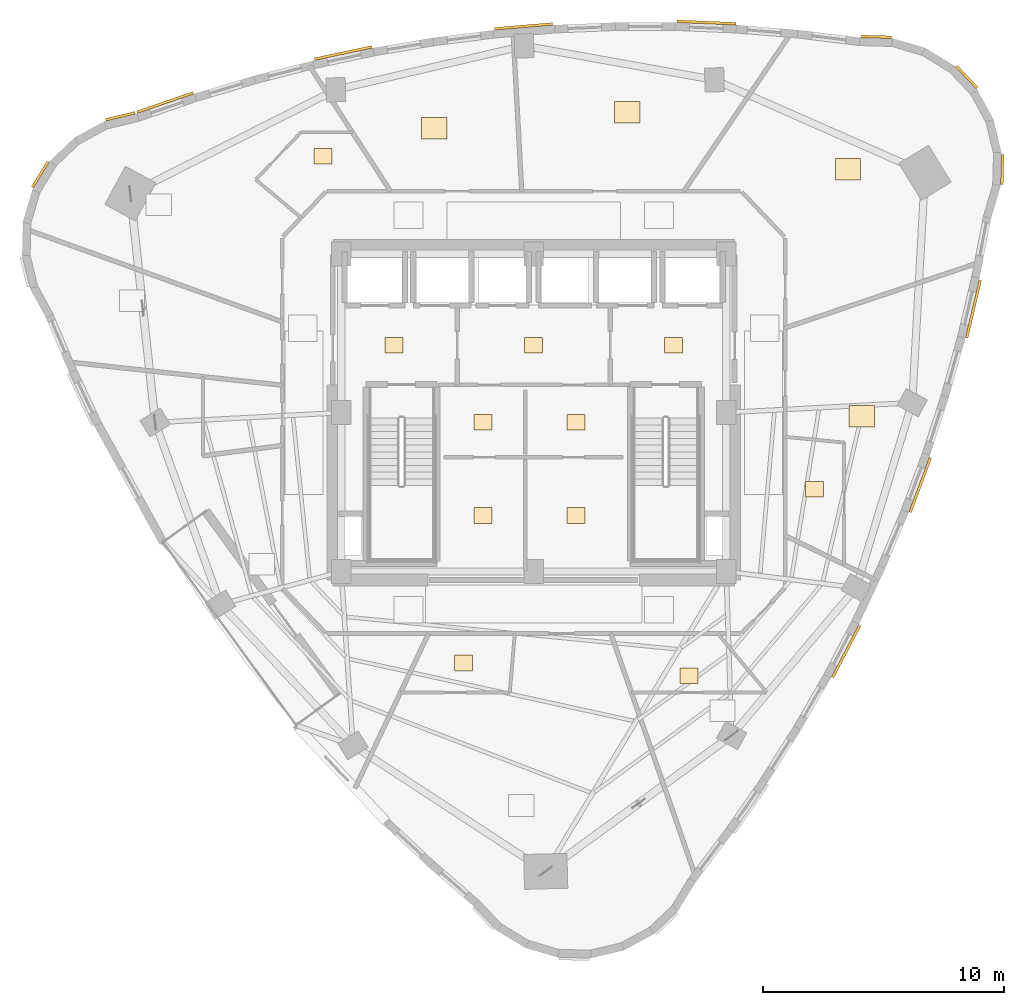
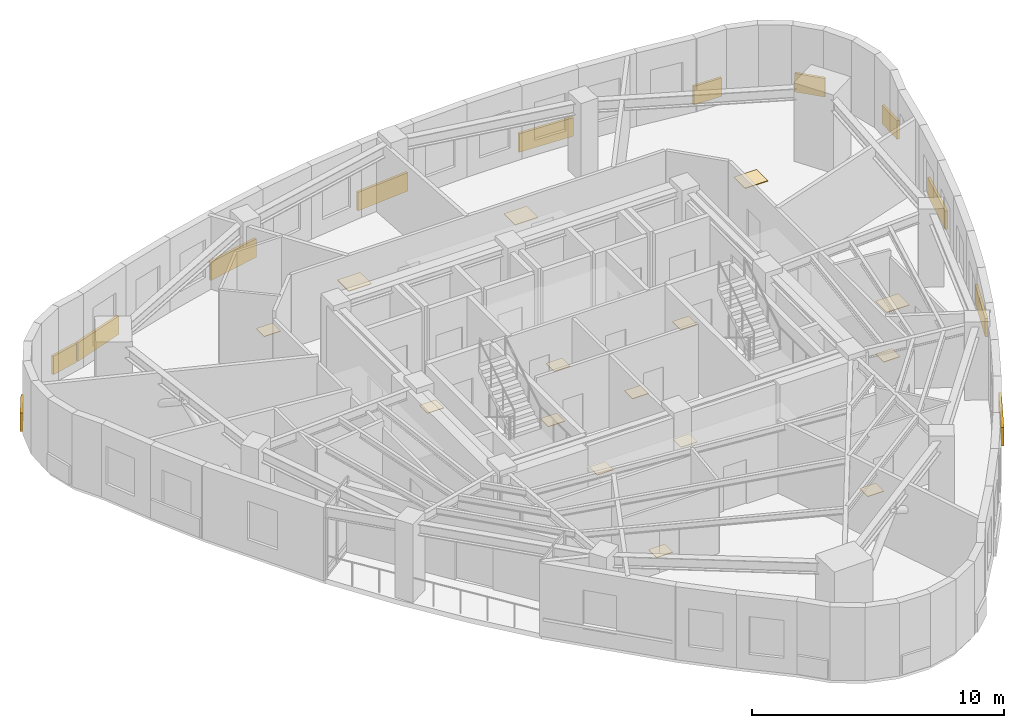
# One storey, part 13 of 13: 27 coverings.
"""IFC4 building model written with IfcOpenShell, lengths in metres."""

from ifc_helpers import new_model, si_unit, direction, frame, origin, origin_2d, place, context, subcontext, project, spatial, rectangle, extrude, material, layer, layer_set, type_object, element, save


model = new_model("IFC4")

# Units and contexts
model_context = context("Model", 3, precision=1e-05, world=origin(), true_north=direction((0.0, 1.0)))
body_context = subcontext(model_context, "Body", "Model", "MODEL_VIEW")
ifc_project = project(units=[si_unit("LENGTHUNIT", "METRE"), si_unit("AREAUNIT", "SQUARE_METRE"), si_unit("VOLUMEUNIT", "CUBIC_METRE"), si_unit("PLANEANGLEUNIT", "RADIAN"), si_unit("MASSUNIT", "GRAM", prefix="KILO")], contexts=[model_context])

# Site, building, storey
site_placement = place(None, origin())
site = spatial("IfcSite", under=ifc_project, at=site_placement, CompositionType="ELEMENT")
building_placement = place(site_placement, origin())
building = spatial("IfcBuilding", under=site, at=building_placement, Name="Ndelora Gate Hotel", CompositionType="ELEMENT")
storey_placement = place(building_placement, frame((0.0, 0.0, 228.35009765625)))
storey = spatial("IfcBuildingStorey", under=building, at=storey_placement, Name="L57", CompositionType="ELEMENT", Elevation=228.35009765625)

# Coverings
ifc_material_1 = material(Name="Terracotta Fired Clay Brick Slip Cladding", Category="masonry")
ifc_layer_1 = layer(ifc_material_1, 0.110107421875)
ifc_layer_set_1 = layer_set([ifc_layer_1], Name="Terracotta Fired Clay Brick Slip Cladding")
covering_type_1 = type_object("IfcCoveringType", Name="COV-CLAD-BRK", PredefinedType="CLADDING", material=ifc_layer_set_1)
for number, where, z_axis, x_axis, name in (
    (1, (-17.176025390625, 12.314208984375, 0.099853515625), (0.0, 0.0, 1.0), (0.972369920398, 0.233445363856, 0.0), "L57 Rounded-Corner Brick Cladding Band 1"),
    (2, (-20.503662109375, 9.896728515625, 0.099853515625), (0.0, 0.0, 1.0), (0.522498564716, 0.852640164354, 0.0), "L57 Rounded-Corner Brick Cladding Band 4"),
):
    element("IfcCovering", number, at=place(storey_placement, frame(where, z_axis=z_axis, x_axis=x_axis)), inside=storey, type_object=covering_type_1, Name=name, PredefinedType="CLADDING", context=body_context, shape_type="SweptSolid", body=[
        extrude(rectangle(XDim=1.257080078125, YDim=0.110107421875, at=origin_2d()), origin(), (0.0, 0.0, 1.0), 0.89990234375),
    ])
covering_1_placement = place(storey_placement, frame((12.9853515625, -9.9267578125, 0.099853515625), z_axis=(0.0, 0.0, 1.0), x_axis=(0.46329603512, 0.886203579231, 0.0)))
element("IfcCovering", 3, at=covering_1_placement, inside=storey, type_object=covering_type_1, Name="L57 Rounded-Corner Brick Cladding Band 31", PredefinedType="CLADDING", context=body_context, shape_type="SweptSolid", body=[
    extrude(rectangle(XDim=2.4208984375, YDim=0.110107421875, at=origin_2d()), origin(), (0.0, 0.0, 1.0), 0.89990234375),
])
covering_2_placement = place(storey_placement, frame((16.06591796875, -3.007568359375, 0.099853515625), z_axis=(0.0, 0.0, 1.0), x_axis=(0.348572047322, 0.937281989492, 0.0)))
element("IfcCovering", 4, at=covering_2_placement, inside=storey, type_object=covering_type_1, Name="L57 Rounded-Corner Brick Cladding Band 34", PredefinedType="CLADDING", context=body_context, shape_type="SweptSolid", body=[
    extrude(rectangle(XDim=2.419921875, YDim=0.110107421875, at=origin_2d()), origin(), (0.0, 0.0, 1.0), 0.89990234375),
])
covering_3_placement = place(storey_placement, frame((18.275390625, 4.298828125, 0.099853515625), z_axis=(0.0, 0.0, 1.0), x_axis=(0.230219585439, 0.973138706701, 0.0)))
element("IfcCovering", 5, at=covering_3_placement, inside=storey, type_object=covering_type_1, Name="L57 Rounded-Corner Brick Cladding Band 37", PredefinedType="CLADDING", context=body_context, shape_type="SweptSolid", body=[
    extrude(rectangle(XDim=2.4599609375, YDim=0.110107421875, at=origin_2d()), origin(), (0.0, 0.0, 1.0), 0.89990234375),
])
for number, where, z_axis, x_axis, name in (
    (6, (19.471923828125, 10.103515625, 0.099853515625), (0.0, 0.0, 1.0), (0.026176948308, 0.999657324976, 0.0), "L57 Rounded-Corner Brick Cladding Band 40"),
    (7, (17.997802734375, 13.943359375, 0.099853515625), (0.0, 0.0, 1.0), (-0.688354575694, 0.725374371012, 0.0), "L57 Rounded-Corner Brick Cladding Band 43"),
    (8, (14.240478515625, 15.6162109375, 0.099853515625), (0.0, 0.0, 1.0), (-0.999657324976, 0.026176948308, 0.0), "L57 Rounded-Corner Brick Cladding Band 46"),
):
    element("IfcCovering", number, at=place(storey_placement, frame(where, z_axis=z_axis, x_axis=x_axis)), inside=storey, type_object=covering_type_1, Name=name, PredefinedType="CLADDING", context=body_context, shape_type="SweptSolid", body=[
        extrude(rectangle(XDim=1.257080078125, YDim=0.110107421875, at=origin_2d()), origin(), (0.0, 0.0, 1.0), 0.89990234375),
    ])
covering_4_placement = place(storey_placement, frame((7.18115234375, 16.2099609375, 0.099853515625), z_axis=(0.0, 0.0, 1.0), x_axis=(-0.999151821338, 0.04117812426, 0.0)))
element("IfcCovering", 9, at=covering_4_placement, inside=storey, type_object=covering_type_1, Name="L57 Rounded-Corner Brick Cladding Band 49", PredefinedType="CLADDING", context=body_context, shape_type="SweptSolid", body=[
    extrude(rectangle(XDim=2.443115234375, YDim=0.110107421875, at=origin_2d()), origin(), (0.0, 0.0, 1.0), 0.89990234375),
])
covering_5_placement = place(storey_placement, frame((-0.417724609375, 16.050537109375, 0.099853515625), z_axis=(0.0, 0.0, 1.0), x_axis=(0.99649285925, 0.083677843332, 0.0)))
element("IfcCovering", 10, at=covering_5_placement, inside=storey, type_object=covering_type_1, Name="L57 Rounded-Corner Brick Cladding Band 52", PredefinedType="CLADDING", context=body_context, shape_type="SweptSolid", body=[
    extrude(rectangle(XDim=2.416015625, YDim=0.110107421875, at=origin_2d()), origin(), (0.0, 0.0, 1.0), 0.89990234375),
])
covering_6_placement = place(storey_placement, frame((-7.9169921875, 14.942626953125, 0.099853515625), z_axis=(0.0, 0.0, 1.0), x_axis=(0.978183873271, 0.20774096869, 0.0)))
element("IfcCovering", 11, at=covering_6_placement, inside=storey, type_object=covering_type_1, Name="L57 Rounded-Corner Brick Cladding Band 55", PredefinedType="CLADDING", context=body_context, shape_type="SweptSolid", body=[
    extrude(rectangle(XDim=2.428955078125, YDim=0.110107421875, at=origin_2d()), origin(), (0.0, 0.0, 1.0), 0.89990234375),
])
covering_7_placement = place(storey_placement, frame((-15.315673828125, 12.886962890625, 0.099853515625), z_axis=(0.0, 0.0, 1.0), x_axis=(0.945518575599, 0.325568154457, 0.0)))
element("IfcCovering", 12, at=covering_7_placement, inside=storey, type_object=covering_type_1, Name="L57 Rounded-Corner Brick Cladding Band 58", PredefinedType="CLADDING", context=body_context, shape_type="SweptSolid", body=[
    extrude(rectangle(XDim=2.48193359375, YDim=0.110107421875, at=origin_2d()), origin(), (0.0, 0.0, 1.0), 0.89990234375),
])
ifc_material_2 = material(Name="Engineered Highland Oak Parquet", Category="wood")
ifc_layer_2 = layer(ifc_material_2, 0.030029296875)
ifc_layer_set_2 = layer_set([ifc_layer_2], Name="Engineered Highland Oak Parquet")
covering_type_2 = type_object("IfcCoveringType", Name="COV-FLR-PARQ", PredefinedType="FLOORING", material=ifc_layer_set_2)
for number, where, z_axis, x_axis, name in (
    (13, (13.634033203125, -0.152099609375, 0.0), (0.0, 0.0, 1.0), (1.0, 0.0, 0.0), "L57 Grand Highland Diplomatic Suite 6003 Oak Parquet Flooring"),
    (14, (13.058349609375, 10.110107421875, 0.0), (0.0, 0.0, 1.0), (1.0, 0.0, 0.0), "L57 Highland Reading Library Oak Parquet Flooring"),
    (15, (3.888671875, 12.480712890625, 0.0), (0.0, 0.0, 1.0), (1.0, 0.0, 0.0), "L57 Altitude Fitness Gym Oak Parquet Flooring"),
    (16, (-4.13720703125, 11.8134765625, 0.0), (0.0, 0.0, 1.0), (1.0, 0.0, 0.0), "L57 Chef Service Kitchen Oak Parquet Flooring"),
):
    element("IfcCovering", number, at=place(storey_placement, frame(where, z_axis=z_axis, x_axis=x_axis)), inside=storey, type_object=covering_type_2, Name=name, PredefinedType="FLOORING", context=body_context, shape_type="SweptSolid", body=[
        extrude(rectangle(XDim=1.050048828125, YDim=0.89990234375, at=origin_2d()), origin(), (0.0, 0.0, 1.0), 0.030029296875),
    ])
ifc_material_3 = material(Name="Non-Slip Porcelain Wet-Room Tile", Category="ceramic")
ifc_layer_3 = layer(ifc_material_3, 0.02490234375)
ifc_layer_set_3 = layer_set([ifc_layer_3], Name="Non-Slip Porcelain Wet-Room Tile")
covering_type_3 = type_object("IfcCoveringType", Name="COV-FLR-TILE", PredefinedType="FLOORING", material=ifc_layer_set_3)
for number, where, z_axis, x_axis, name in (
    (17, (-5.800048828125, 2.800048828125, 0.0), (0.0, 0.0, 1.0), (1.0, 0.0, 0.0), "L57 Firefighting Lift Lobby West Porcelain Tile Flooring"),
    (18, (5.800048828125, 2.800048828125, 0.0), (0.0, 0.0, 1.0), (1.0, 0.0, 0.0), "L57 Firefighting Lift Lobby East Porcelain Tile Flooring"),
    (19, (0.0, 2.800048828125, 0.0), (0.0, 0.0, 1.0), (1.0, 0.0, 0.0), "L57 Central Passenger Lift Lobby Porcelain Tile Flooring"),
    (20, (-2.10009765625, -0.39990234375, 0.0), (0.0, 0.0, 1.0), (1.0, 0.0, 0.0), "L57 Core Electrical Closet Porcelain Tile Flooring"),
    (21, (1.75, -0.39990234375, 0.0), (0.0, 0.0, 1.0), (1.0, 0.0, 0.0), "L57 Comms Patching Store Porcelain Tile Flooring"),
    (22, (-2.10009765625, -4.27490234375, 0.0), (0.0, 0.0, 1.0), (1.0, 0.0, 0.0), "L57 Valet Laundry Store Porcelain Tile Flooring"),
    (23, (1.75, -4.27490234375, 0.0), (0.0, 0.0, 1.0), (1.0, 0.0, 0.0), "L57 Housekeeping Reserve Store Porcelain Tile Flooring"),
    (24, (-2.918701171875, -10.405029296875, 0.0), (0.0, 0.0, 1.0), (1.0, 0.0, 0.0), "L57 En-suite Bathroom 6001 Porcelain Tile Flooring"),
    (25, (6.458251953125, -10.934326171875, 0.0), (0.0, 0.0, 1.0), (1.0, 0.0, 0.0), "L57 En-suite Bathroom 6002 Porcelain Tile Flooring"),
    (26, (11.675048828125, -3.184326171875, 0.0), (0.0, 0.0, 1.0), (1.0, 0.0, 0.0), "L57 En-suite Bathroom 6003 Porcelain Tile Flooring"),
    (27, (-8.75244140625, 10.646484375, 0.0), (0.0, 0.0, 1.0), (1.0, 0.0, 0.0), "L57 En-suite Bathroom 6004 Porcelain Tile Flooring"),
):
    element("IfcCovering", number, at=place(storey_placement, frame(where, z_axis=z_axis, x_axis=x_axis)), inside=storey, type_object=covering_type_3, Name=name, PredefinedType="FLOORING", context=body_context, shape_type="SweptSolid", body=[
        extrude(rectangle(XDim=0.75, YDim=0.64990234375, at=origin_2d()), origin(), (0.0, 0.0, 1.0), 0.02490234375),
    ])

save(model, "model.ifc")
